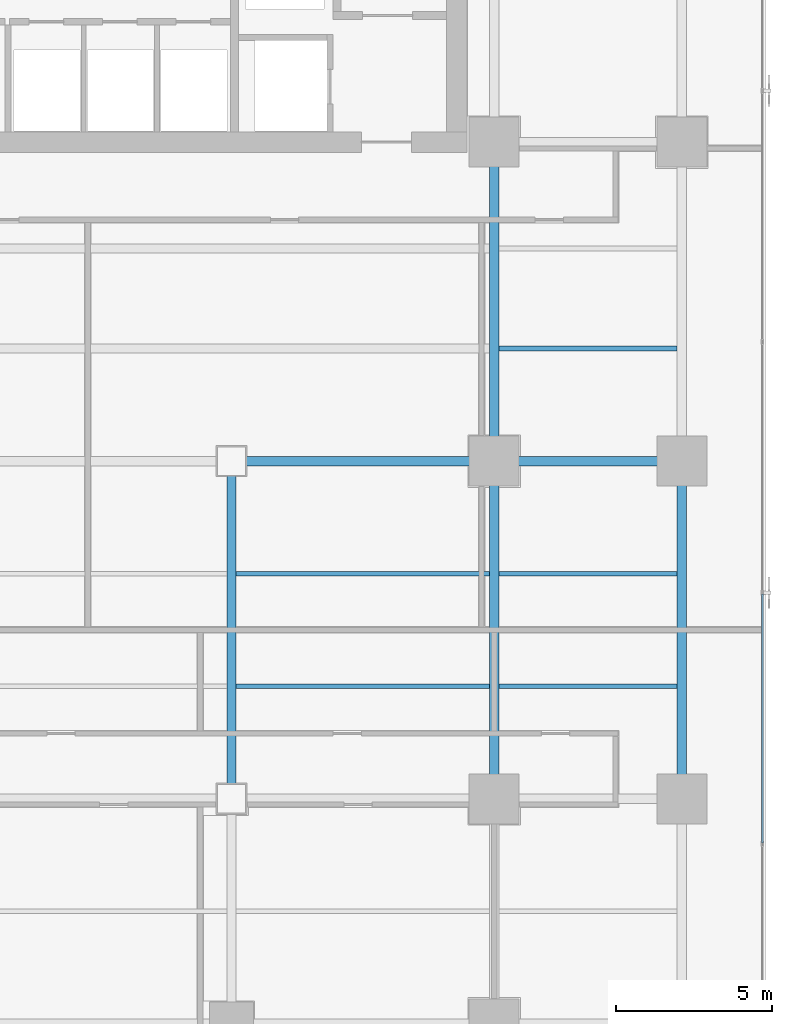
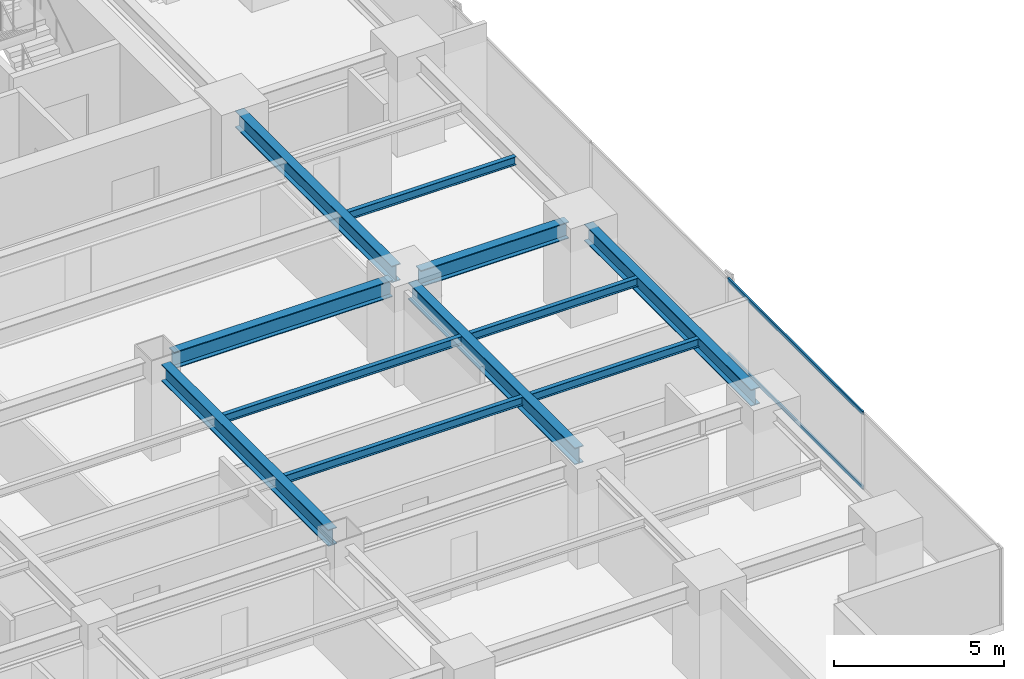
# One storey, part 15 of 35: 11 beams, 2 members, 1 element without a shape of its own.
"""IFC4 building model written with IfcOpenShell, lengths in metres."""

from ifc_helpers import new_model, si_unit, direction, frame, origin, origin_2d, place, context, subcontext, project, spatial, hollow_rectangle, i_section, extrude, source, transform, mapped, material, layer, layer_set, material_profile, profile_set, type_object, element, aggregate, save


model = new_model("IFC4")

# Units and contexts
model_context = context("Model", 3, precision=1e-05, world=origin(), true_north=direction((0.0, 1.0)))
body_context = subcontext(model_context, "Body", "Model", "MODEL_VIEW")
ifc_project = project(units=[si_unit("LENGTHUNIT", "METRE"), si_unit("AREAUNIT", "SQUARE_METRE"), si_unit("VOLUMEUNIT", "CUBIC_METRE"), si_unit("PLANEANGLEUNIT", "RADIAN"), si_unit("MASSUNIT", "GRAM", prefix="KILO")], contexts=[model_context])

# Site, building, storey
site_placement = place(None, origin())
site = spatial("IfcSite", under=ifc_project, at=site_placement, CompositionType="ELEMENT")
building_placement = place(site_placement, origin())
building = spatial("IfcBuilding", under=site, at=building_placement, Name="Sumidabori Civic Tower", CompositionType="ELEMENT")
storey_placement = place(building_placement, frame((0.0, 0.0, 102.800048828125)))
storey = spatial("IfcBuildingStorey", under=building, at=storey_placement, Name="L26", CompositionType="ELEMENT", Elevation=102.800048828125)

# Beams
ifc_material_1 = material(Name="Steel SN490", Category="steel")
ifc_material_profile_1 = material_profile(ifc_material_1, i_section(OverallWidth=0.300048828125, OverallDepth=0.60009765625, WebThickness=0.015380859375, FlangeThickness=0.030029296875, at=origin_2d()), Name="HE 600 B")
ifc_profile_set_1 = profile_set([ifc_material_profile_1], Name="Steel SN490")
beam_type_1 = type_object("IfcBeamType", Name="BM-GIRD-600", PredefinedType="BEAM", material=ifc_profile_set_1)
shared_shape_1 = source(origin(), body_context, "Body", "SweptSolid", [
    extrude(i_section(OverallWidth=0.300048828125, OverallDepth=0.60009765625, WebThickness=0.015380859375, FlangeThickness=0.030029296875, at=origin_2d()), origin(), (0.0, 0.0, 1.0), 5.0400390625),
])
beam_1_placement = place(storey_placement, frame((17.280029296875, 0.0, 3.06005859375), z_axis=(1.0, 0.0, 0.0), x_axis=(0.0, 1.0, 0.0)))
element("IfcBeam", 1, at=beam_1_placement, inside=storey, type_object=beam_type_1, Name="Primary Girder L26 GX-18", PredefinedType="BEAM", context=body_context, shape_type="MappedRepresentation", body=[
    mapped(shared_shape_1, transform((0.0, 0.0, 0.0), x_axis=(1.0, 0.0, 0.0), y_axis=(0.0, 1.0, 0.0), z_axis=(0.0, 0.0, 1.0), scale=1.0)),
])
shared_shape_2 = source(origin(), body_context, "Body", "SweptSolid", [
    extrude(i_section(OverallWidth=0.300048828125, OverallDepth=0.60009765625, WebThickness=0.015380859375, FlangeThickness=0.030029296875, at=origin_2d()), origin(), (0.0, 0.0, 1.0), 7.440185546875),
])
beam_2_placement = place(storey_placement, frame((8.8798828125, 0.0, 3.06005859375), z_axis=(1.0, 0.0, 0.0), x_axis=(0.0, 1.0, 0.0)))
element("IfcBeam", 2, at=beam_2_placement, inside=storey, type_object=beam_type_1, Name="Primary Girder L26 GX-17", PredefinedType="BEAM", context=body_context, shape_type="MappedRepresentation", body=[
    mapped(shared_shape_2, transform((0.0, 0.0, 0.0), x_axis=(1.0, 0.0, 0.0), y_axis=(0.0, 1.0, 0.0), z_axis=(0.0, 0.0, 1.0), scale=1.0)),
])
shared_shape_3 = source(origin(), body_context, "Body", "SweptSolid", [
    extrude(i_section(OverallWidth=0.300048828125, OverallDepth=0.60009765625, WebThickness=0.015380859375, FlangeThickness=0.030029296875, at=origin_2d()), origin(), (0.0, 0.0, 1.0), 9.840087890625),
])
for number, where, z_axis, x_axis, name in (
    (3, (8.39990234375, -10.320068359375, 3.06005859375), (0.0, 1.0, 0.0), (-1.0, 0.0, 0.0), "Primary Girder L26 GY-34"),
    (4, (16.800048828125, -10.320068359375, 3.06005859375), (0.0, 1.0, 0.0), (-1.0, 0.0, 0.0), "Primary Girder L26 GY-36"),
    (5, (22.800048828125, -10.320068359375, 3.06005859375), (0.0, 1.0, 0.0), (-1.0, 0.0, 0.0), "Primary Girder L26 GY-40"),
):
    element("IfcBeam", number, at=place(storey_placement, frame(where, z_axis=z_axis, x_axis=x_axis)), inside=storey, type_object=beam_type_1, Name=name, PredefinedType="BEAM", context=body_context, shape_type="MappedRepresentation", body=[
        mapped(shared_shape_3, transform((0.0, 0.0, 0.0), x_axis=(1.0, 0.0, 0.0), y_axis=(0.0, 1.0, 0.0), z_axis=(0.0, 0.0, 1.0), scale=1.0)),
    ])
shared_shape_4 = source(origin(), body_context, "Body", "SweptSolid", [
    extrude(i_section(OverallWidth=0.300048828125, OverallDepth=0.60009765625, WebThickness=0.015380859375, FlangeThickness=0.030029296875, at=origin_2d()), origin(), (0.0, 0.0, 1.0), 9.239990234375),
])
beam_3_placement = place(storey_placement, frame((16.800048828125, 0.47998046875, 3.06005859375), z_axis=(0.0, 1.0, 0.0), x_axis=(-1.0, 0.0, 0.0)))
element("IfcBeam", 6, at=beam_3_placement, inside=storey, type_object=beam_type_1, Name="Primary Girder L26 GY-37", PredefinedType="BEAM", context=body_context, shape_type="MappedRepresentation", body=[
    mapped(shared_shape_4, transform((0.0, 0.0, 0.0), x_axis=(1.0, 0.0, 0.0), y_axis=(0.0, 1.0, 0.0), z_axis=(0.0, 0.0, 1.0), scale=1.0)),
])
ifc_material_profile_2 = material_profile(ifc_material_1, i_section(OverallWidth=0.14990234375, OverallDepth=0.300048828125, WebThickness=0.007080078125, FlangeThickness=0.0107421875, at=origin_2d()), Name="IPE 300")
ifc_profile_set_2 = profile_set([ifc_material_profile_2], Name="Steel SN490")
beam_type_2 = type_object("IfcBeamType", Name="BM-JST-300", PredefinedType="JOIST", material=ifc_profile_set_2)
shared_shape_5 = source(origin(), body_context, "Body", "SweptSolid", [
    extrude(i_section(OverallWidth=0.14990234375, OverallDepth=0.300048828125, WebThickness=0.007080078125, FlangeThickness=0.0107421875, at=origin_2d()), origin(), (0.0, 0.0, 1.0), 5.699951171875),
])
for number, where, z_axis, x_axis, name in (
    (7, (16.949951171875, -7.199951171875, 3.2099609375), (1.0, 0.0, 0.0), (0.0, 1.0, 0.0), "Outer Bay Floor Joist L26 JSTO-44"),
    (8, (16.949951171875, -3.60009765625, 3.2099609375), (1.0, 0.0, 0.0), (0.0, 1.0, 0.0), "Outer Bay Floor Joist L26 JSTO-46"),
    (9, (16.949951171875, 3.60009765625, 3.2099609375), (1.0, 0.0, 0.0), (0.0, 1.0, 0.0), "Outer Bay Floor Joist L26 JSTO-48"),
):
    element("IfcBeam", number, at=place(storey_placement, frame(where, z_axis=z_axis, x_axis=x_axis)), inside=storey, type_object=beam_type_2, Name=name, PredefinedType="JOIST", context=body_context, shape_type="MappedRepresentation", body=[
        mapped(shared_shape_5, transform((0.0, 0.0, 0.0), x_axis=(1.0, 0.0, 0.0), y_axis=(0.0, 1.0, 0.0), z_axis=(0.0, 0.0, 1.0), scale=1.0)),
    ])
shared_shape_6 = source(origin(), body_context, "Body", "SweptSolid", [
    extrude(i_section(OverallWidth=0.14990234375, OverallDepth=0.300048828125, WebThickness=0.007080078125, FlangeThickness=0.0107421875, at=origin_2d()), origin(), (0.0, 0.0, 1.0), 8.099853515625),
])
for number, where, z_axis, x_axis, name in (
    (10, (8.550048828125, -7.199951171875, 3.2099609375), (1.0, 0.0, 0.0), (0.0, 1.0, 0.0), "South Bay Floor Joist L26 JSTS-62"),
    (11, (8.550048828125, -3.60009765625, 3.2099609375), (1.0, 0.0, 0.0), (0.0, 1.0, 0.0), "South Bay Floor Joist L26 JSTS-66"),
):
    element("IfcBeam", number, at=place(storey_placement, frame(where, z_axis=z_axis, x_axis=x_axis)), inside=storey, type_object=beam_type_2, Name=name, PredefinedType="JOIST", context=body_context, shape_type="MappedRepresentation", body=[
        mapped(shared_shape_6, transform((0.0, 0.0, 0.0), x_axis=(1.0, 0.0, 0.0), y_axis=(0.0, 1.0, 0.0), z_axis=(0.0, 0.0, 1.0), scale=1.0)),
    ])

# Curtain wall, members
ifc_material_2 = material(Name="Anodised Bronze Aluminium AW-6063-T6", Category="aluminium")
ifc_layer = layer(ifc_material_2, 0.179931640625, Name="Anodised Bronze Aluminium AW-6063-T6")
ifc_layer_set = layer_set([ifc_layer], Name="Anodised Bronze Aluminium AW-6063-T6")
curtain_wall_type = type_object("IfcCurtainWallType", Name="CW-SYS-3", PredefinedType="NOTDEFINED", material=ifc_layer_set)
curtain_wall_placement = place(storey_placement, origin())
curtain_wall = element("IfcCurtainWall", 12, at=curtain_wall_placement, inside=storey, type_object=curtain_wall_type, Name="Curtain Wall CW:L26:R04", PredefinedType="NOTDEFINED")
ifc_material_profile_3 = material_profile(ifc_material_2, hollow_rectangle(XDim=0.06005859375, YDim=0.1298828125, WallThickness=0.0048828125, at=origin_2d()), Name="ALU TRANSOM 130x60")
ifc_profile_set_3 = profile_set([ifc_material_profile_3], Name="Anodised Bronze Aluminium AW-6063-T6")
member_type = type_object("IfcMemberType", Name="CW-TRN-130", PredefinedType="USERDEFINED", material=ifc_profile_set_3)
shared_shape_7 = source(origin(), body_context, "Body", "SweptSolid", [
    extrude(hollow_rectangle(XDim=0.06005859375, YDim=0.1298828125, WallThickness=0.0048828125, at=origin_2d()), origin(), (0.0, 0.0, 1.0), 7.962890625),
])
member_1_placement = place(storey_placement, frame((25.3798828125, -12.20947265625, 0.030029296875), z_axis=(0.0, 1.0, 0.0), x_axis=(-1.0, 0.0, 0.0)))
member_1 = element("IfcMember", 13, at=member_1_placement, type_object=member_type, Name="CW-3 transom 2.1", ObjectType="TRANSOM", PredefinedType="USERDEFINED", context=body_context, shape_type="MappedRepresentation", body=[
    mapped(shared_shape_7, transform((0.0, 0.0, 0.0), x_axis=(1.0, 0.0, 0.0), y_axis=(0.0, 1.0, 0.0), z_axis=(0.0, 0.0, 1.0), scale=1.0)),
])
member_2_placement = place(storey_placement, frame((25.3798828125, -12.20947265625, 2.7099609375), z_axis=(0.0, 1.0, 0.0), x_axis=(-1.0, 0.0, 0.0)))
member_2 = element("IfcMember", 14, at=member_2_placement, type_object=member_type, Name="CW-3 transom 2.2", ObjectType="TRANSOM", PredefinedType="USERDEFINED", context=body_context, shape_type="MappedRepresentation", body=[
    mapped(shared_shape_7, transform((0.0, 0.0, 0.0), x_axis=(1.0, 0.0, 0.0), y_axis=(0.0, 1.0, 0.0), z_axis=(0.0, 0.0, 1.0), scale=1.0)),
])
aggregate(curtain_wall, [member_1, member_2])

save(model, "model.ifc")
